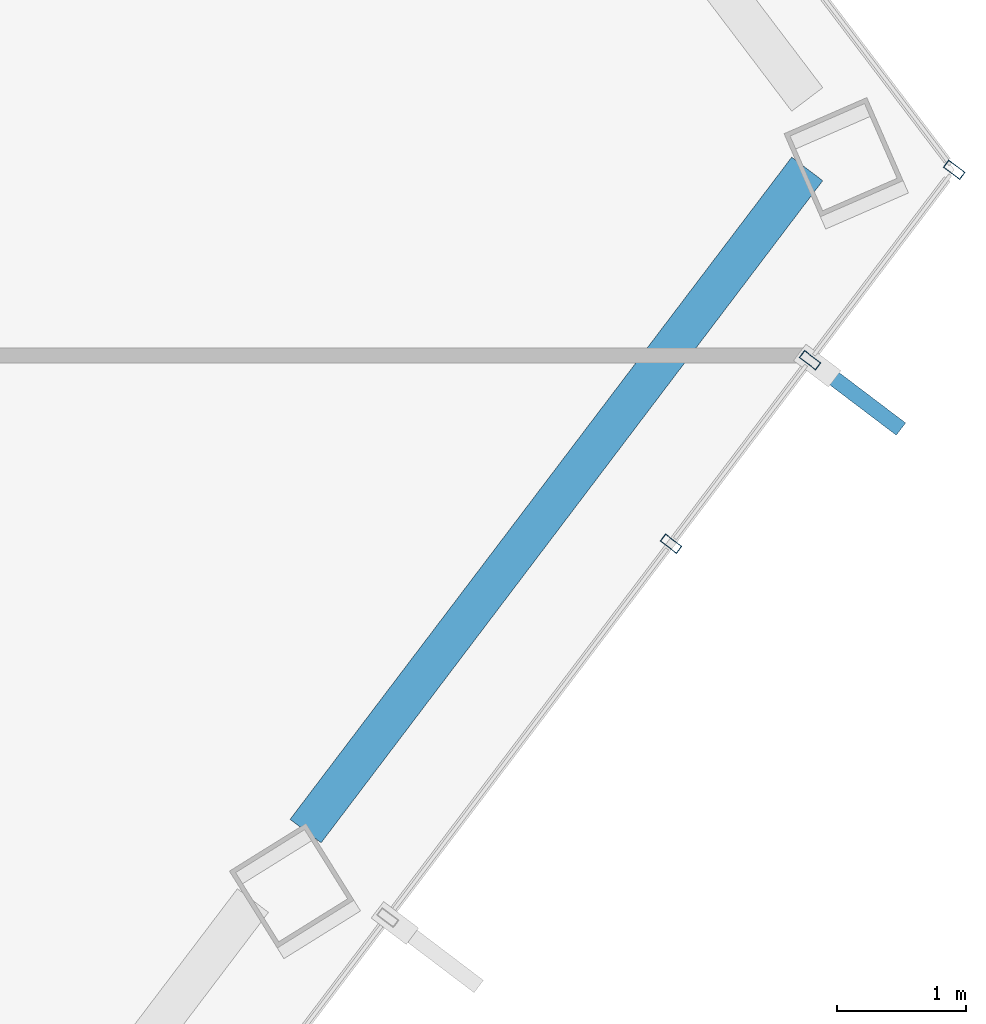
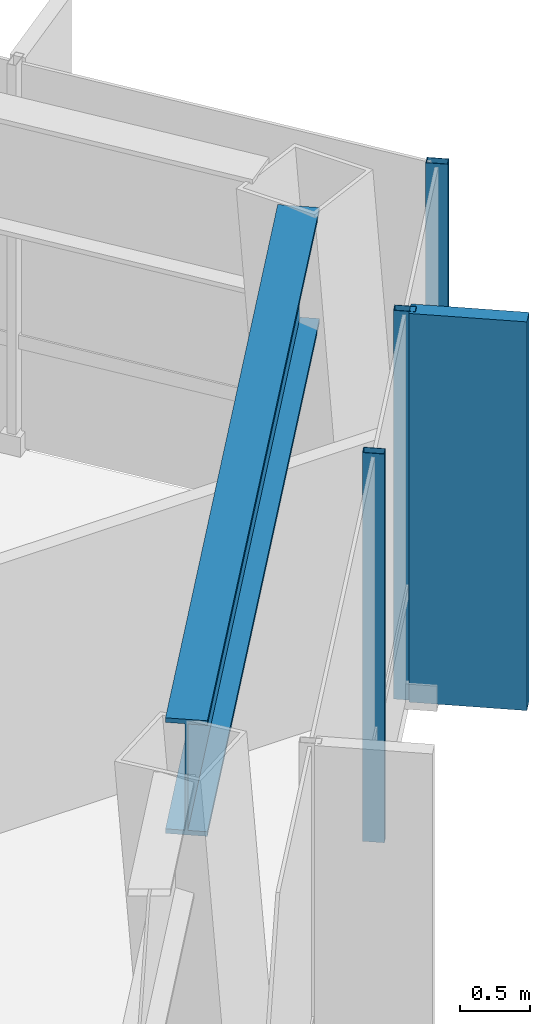
# One storey, part 21 of 28: 4 members, 1 beam, 1 element without a shape of its own.
"""IFC4 building model written with IfcOpenShell, lengths in metres."""

from ifc_helpers import new_model, si_unit, direction, frame, origin, origin_2d, place, context, subcontext, project, spatial, rectangle, hollow_rectangle, i_section, extrude, material, layer, layer_set, material_profile, profile_set, type_object, element, aggregate, save


model = new_model("IFC4")

# Units and contexts
model_context = context("Model", 3, precision=1e-05, world=origin(), true_north=direction((0.0, 1.0)))
body_context = subcontext(model_context, "Body", "Model", "MODEL_VIEW")
ifc_project = project(units=[si_unit("LENGTHUNIT", "METRE"), si_unit("AREAUNIT", "SQUARE_METRE"), si_unit("VOLUMEUNIT", "CUBIC_METRE"), si_unit("PLANEANGLEUNIT", "RADIAN"), si_unit("MASSUNIT", "GRAM", prefix="KILO")], contexts=[model_context])

# Site, building, storey
site_placement = place(None, origin())
site = spatial("IfcSite", under=ifc_project, at=site_placement, CompositionType="ELEMENT")
building_placement = place(site_placement, origin())
building = spatial("IfcBuilding", under=site, at=building_placement, Name="Zarrinselat Tower", CompositionType="ELEMENT")
storey_placement = place(building_placement, frame((0.0, 0.0, 190.739990234375)))
storey = spatial("IfcBuildingStorey", under=building, at=storey_placement, Name="L47", CompositionType="ELEMENT", Elevation=190.739990234375)

# Beam
ifc_material_1 = material(Name="Steel S460M", Category="steel")
ifc_material_profile_1 = material_profile(ifc_material_1, i_section(OverallWidth=0.302001953125, OverallDepth=1.008056640625, WebThickness=0.02099609375, FlangeThickness=0.0400390625, at=origin_2d()), Name="HEM 1000")
ifc_profile_set_1 = profile_set([ifc_material_profile_1], Name="Steel S460M")
beam_type = type_object("IfcBeamType", Name="BM-HEM1000", PredefinedType="BEAM", material=ifc_profile_set_1)
beam_placement = place(storey_placement, frame((57.974365234375, 35.6591796875, 2.885986328125), z_axis=(0.603854769966, 0.797094358774, 0.0), x_axis=(-0.797094358774, 0.603854769966, 0.0)))
element("IfcBeam", 1, at=beam_placement, inside=storey, type_object=beam_type, Name="L47 Perimeter Spandrel Girder SP14", PredefinedType="BEAM", context=body_context, shape_type="SweptSolid", body=[
    extrude(i_section(OverallWidth=0.302001953125, OverallDepth=1.008056640625, WebThickness=0.02099609375, FlangeThickness=0.0400390625, at=origin_2d()), origin(), (0.0, 0.0, 1.0), 6.443359375),
])

# Curtain wall, members
ifc_material_2 = material(Name="Extruded Aluminium Alloy EN AW-6063 T6", Category="aluminium")
ifc_layer = layer(ifc_material_2, 0.175048828125)
ifc_layer_set = layer_set([ifc_layer], Name="Extruded Aluminium Alloy EN AW-6063 T6")
curtain_wall_type = type_object("IfcCurtainWallType", Name="CWS-HTL", PredefinedType="NOTDEFINED", material=ifc_layer_set)
curtain_wall_placement = place(storey_placement, origin())
curtain_wall = element("IfcCurtainWall", 2, at=curtain_wall_placement, inside=storey, type_object=curtain_wall_type, Name="L47 Unitised Curtain Wall CW-L47-E05", PredefinedType="NOTDEFINED")
ifc_material_3 = material(Name="Extruded Aluminium Alloy EN AW-6063 T6", Category="aluminium")
ifc_material_profile_2 = material_profile(ifc_material_3, hollow_rectangle(XDim=0.070068359375, YDim=0.159912109375, WallThickness=0.00390625, at=origin_2d()), Name="RHS 160x70x4")
ifc_profile_set_2 = profile_set([ifc_material_profile_2], Name="Extruded Aluminium Alloy EN AW-6063 T6")
member_type_1 = type_object("IfcMemberType", Name="MEM-CW-MUL2", PredefinedType="MULLION", material=ifc_profile_set_2)
member_1_placement = place(storey_placement, frame((60.80859375, 37.88818359375, 0.0), z_axis=(0.0, 0.0, 1.0), x_axis=(0.603856629551, 0.797092950005, 0.0)))
member_1 = element("IfcMember", 3, at=member_1_placement, type_object=member_type_1, Name="CW-L47-E05 Mullion 8", PredefinedType="MULLION", context=body_context, shape_type="SweptSolid", body=[
    extrude(hollow_rectangle(XDim=0.070068359375, YDim=0.159912109375, WallThickness=0.00390625, at=origin_2d()), origin(), (0.0, 0.0, 1.0), 3.389892578125),
])
member_2_placement = place(storey_placement, frame((61.88671875, 39.3115234375, 0.0), z_axis=(0.0, 0.0, 1.0), x_axis=(0.603856629551, 0.797092950005, 0.0)))
member_2 = element("IfcMember", 4, at=member_2_placement, type_object=member_type_1, Name="CW-L47-E05 Mullion 9", PredefinedType="MULLION", context=body_context, shape_type="SweptSolid", body=[
    extrude(hollow_rectangle(XDim=0.070068359375, YDim=0.159912109375, WallThickness=0.00390625, at=origin_2d()), origin(), (0.0, 0.0, 1.0), 3.389892578125),
])
member_3_placement = place(storey_placement, frame((63.00537109375, 40.7880859375, 0.0), z_axis=(0.0, 0.0, 1.0), x_axis=(0.603856629551, 0.797092950005, 0.0)))
member_3 = element("IfcMember", 5, at=member_3_placement, type_object=member_type_1, Name="CW-L47-E05 Mullion 10", PredefinedType="MULLION", context=body_context, shape_type="SweptSolid", body=[
    extrude(hollow_rectangle(XDim=0.070068359375, YDim=0.159912109375, WallThickness=0.00390625, at=origin_2d()), origin(), (0.0, 0.0, 1.0), 3.389892578125),
])
ifc_material_4 = material(Name="Honed Cream Travertine Stone", Category="masonry")
ifc_material_profile_3 = material_profile(ifc_material_4, rectangle(XDim=0.1201171875, YDim=0.85009765625, at=origin_2d()), Name="FIN 850x120")
ifc_profile_set_3 = profile_set([ifc_material_profile_3], Name="Honed Cream Travertine Stone")
member_type_2 = type_object("IfcMemberType", Name="MEM-STONE-FIN", PredefinedType="USERDEFINED", material=ifc_profile_set_3)
member_4_placement = place(storey_placement, frame((62.25341796875, 39.03369140625, 0.0), z_axis=(0.0, 0.0, 1.0), x_axis=(-0.603856629551, -0.797092950005, 0.0)))
member_4 = element("IfcMember", 6, at=member_4_placement, type_object=member_type_2, Name="L47 Stone Shading Fin CW-L47-E05-09", ObjectType="FIN", PredefinedType="USERDEFINED", context=body_context, shape_type="SweptSolid", body=[
    extrude(rectangle(XDim=0.1201171875, YDim=0.85009765625, at=origin_2d()), origin(), (0.0, 0.0, 1.0), 3.389892578125),
])
aggregate(curtain_wall, [member_1, member_2, member_4, member_3])

save(model, "model.ifc")
